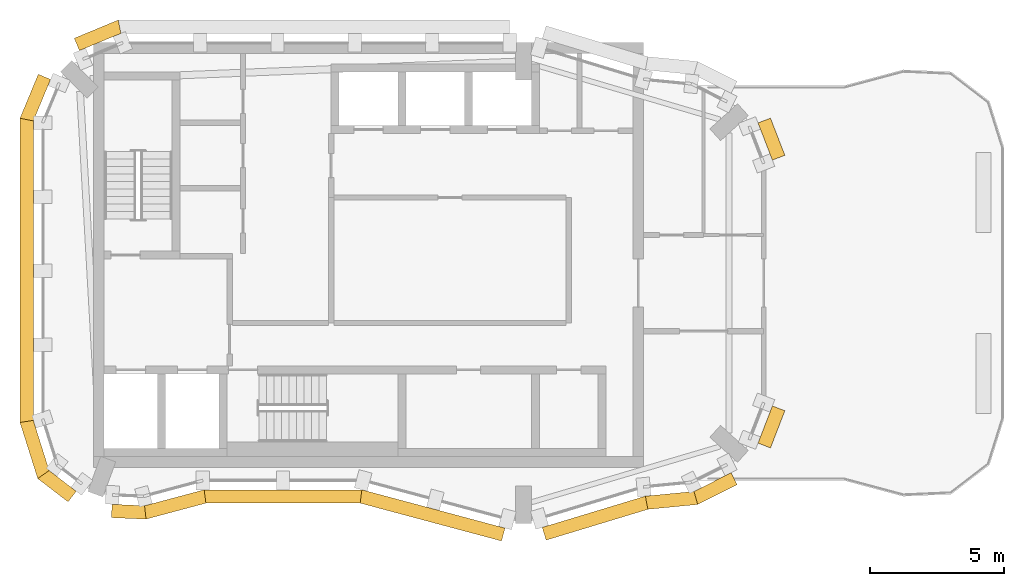
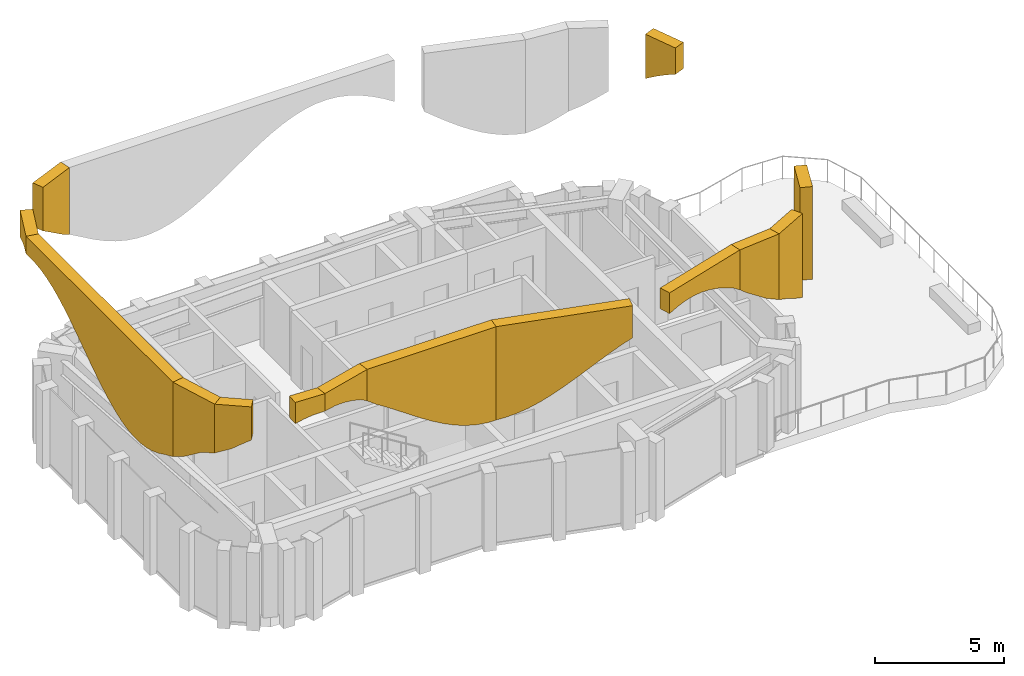
# One storey, part 6 of 7: 14 coverings.
"""IFC4 building model written with IfcOpenShell, lengths in metres."""

from ifc_helpers import new_model, si_unit, direction, frame, origin, place, context, subcontext, project, spatial, faceted_brep, material, layer, layer_set, type_object, element, save


model = new_model("IFC4")

# Units and contexts
model_context = context("Model", 3, precision=1e-05, world=origin(), true_north=direction((0.0, 1.0)))
body_context = subcontext(model_context, "Body", "Model", "MODEL_VIEW")
ifc_project = project(units=[si_unit("LENGTHUNIT", "METRE"), si_unit("AREAUNIT", "SQUARE_METRE"), si_unit("VOLUMEUNIT", "CUBIC_METRE"), si_unit("PLANEANGLEUNIT", "RADIAN"), si_unit("MASSUNIT", "GRAM", prefix="KILO")], contexts=[model_context])

# Site, building, storey
site_placement = place(None, origin())
site = spatial("IfcSite", under=ifc_project, at=site_placement, CompositionType="ELEMENT")
building_placement = place(site_placement, origin())
building = spatial("IfcBuilding", under=site, at=building_placement, Name="Plateau Cross Towers", CompositionType="ELEMENT")
storey_placement = place(building_placement, frame((0.0, 0.0, 301.89990234375)))
storey = spatial("IfcBuildingStorey", under=building, at=storey_placement, Name="L80 Crown 3", CompositionType="ELEMENT", Elevation=301.89990234375)

# Coverings
ifc_material = material(Name="Anodised aluminium fascia", Category="aluminium")
ifc_layer = layer(ifc_material, 0.5)
ifc_layer_set = layer_set([ifc_layer], Name="Anodised aluminium fascia")
covering_type = type_object("IfcCoveringType", Name="Crown fascia panel 500", PredefinedType="CLADDING", material=ifc_layer_set)
covering_1_placement = place(storey_placement, frame((0.0, 0.0, 9.007080078125)))
element("IfcCovering", 1, at=covering_1_placement, inside=storey, type_object=covering_type, Name="Crown fascia panel top", PredefinedType="CLADDING", context=body_context, shape_type="Brep", body=[
    faceted_brep([(3.814697265625, 0.6591796875, 0.66796875), (3.814697265625, 0.6591796875, 1.492919921875), (4.3115234375, 0.792236328125, 1.492919921875), (4.3115234375, 0.792236328125, 0.6396484375), (3.86962890625, 0.156494140625, 0.66796875), (4.440673828125, 0.309326171875, 0.6396484375), (4.440673828125, 0.309326171875, 1.492919921875), (3.86962890625, 0.156494140625, 1.492919921875), (4.756103515625, 0.911376953125, 1.492919921875), (4.756103515625, 0.911376953125, 0.554931640625), (4.885498046875, 0.428466796875, 0.554931640625), (4.885498046875, 0.428466796875, 1.492919921875), (5.200927734375, 1.030517578125, 1.492919921875), (5.200927734375, 1.030517578125, 0.4169921875), (5.330322265625, 0.547607421875, 0.4169921875), (5.330322265625, 0.547607421875, 1.492919921875), (5.645751953125, 1.149658203125, 1.492919921875), (5.645751953125, 1.149658203125, 0.230224609375), (5.775146484375, 0.666748046875, 0.230224609375), (5.775146484375, 0.666748046875, 1.492919921875), (6.046142578125, 1.2568359375, 1.492919921875), (6.046142578125, 1.2568359375, 0.0), (6.11181640625, 0.7568359375, 0.0), (6.11181640625, 0.7568359375, 1.492919921875)], [[[0, 1, 2, 3]], [[4, 5, 6, 7]], [[0, 3, 5, 4]], [[1, 7, 6, 2]], [[3, 2, 8, 9]], [[5, 10, 11, 6]], [[3, 9, 10, 5]], [[2, 6, 11, 8]], [[9, 8, 12, 13]], [[10, 14, 15, 11]], [[9, 13, 14, 10]], [[8, 11, 15, 12]], [[13, 12, 16, 17]], [[14, 18, 19, 15]], [[13, 17, 18, 14]], [[12, 15, 19, 16]], [[17, 16, 20, 21]], [[18, 22, 23, 19]], [[17, 21, 22, 18]], [[16, 19, 23, 20]], [[0, 4, 7, 1]], [[21, 20, 23, 22]]]),
])
covering_2_placement = place(storey_placement, frame((0.0, 0.0, 6.07958984375)))
element("IfcCovering", 2, at=covering_2_placement, inside=storey, type_object=covering_type, Name="Crown fascia panel top", PredefinedType="CLADDING", context=body_context, shape_type="Brep", body=[
    faceted_brep([(6.046142578125, 1.2568359375, 2.927490234375), (6.046142578125, 1.2568359375, 4.42041015625), (6.5, 1.2568359375, 4.42041015625), (6.5, 1.2568359375, 2.637451171875), (6.11181640625, 0.7568359375, 2.927490234375), (6.5, 0.7568359375, 2.637451171875), (6.5, 0.7568359375, 4.42041015625), (6.11181640625, 0.7568359375, 4.42041015625), (7.0, 1.2568359375, 4.42041015625), (7.0, 1.2568359375, 2.31591796875), (7.0, 0.7568359375, 2.31591796875), (7.0, 0.7568359375, 4.42041015625), (7.5, 1.2568359375, 4.42041015625), (7.5, 1.2568359375, 1.97509765625), (7.5, 0.7568359375, 1.97509765625), (7.5, 0.7568359375, 4.42041015625), (8.0, 1.2568359375, 4.42041015625), (8.0, 1.2568359375, 1.62744140625), (8.0, 0.7568359375, 1.62744140625), (8.0, 0.7568359375, 4.42041015625), (8.5, 1.2568359375, 4.42041015625), (8.5, 1.2568359375, 1.2861328125), (8.5, 0.7568359375, 1.2861328125), (8.5, 0.7568359375, 4.42041015625), (9.0, 1.2568359375, 4.42041015625), (9.0, 1.2568359375, 0.963623046875), (9.0, 0.7568359375, 0.963623046875), (9.0, 0.7568359375, 4.42041015625), (9.5, 1.2568359375, 4.42041015625), (9.5, 1.2568359375, 0.67236328125), (9.5, 0.7568359375, 0.67236328125), (9.5, 0.7568359375, 4.42041015625), (10.0, 1.2568359375, 4.42041015625), (10.0, 1.2568359375, 0.4228515625), (10.0, 0.7568359375, 0.4228515625), (10.0, 0.7568359375, 4.42041015625), (10.5, 1.2568359375, 4.42041015625), (10.5, 1.2568359375, 0.224609375), (10.5, 0.7568359375, 0.224609375), (10.5, 0.7568359375, 4.42041015625), (11.0, 1.2568359375, 4.42041015625), (11.0, 1.2568359375, 0.0849609375), (11.0, 0.7568359375, 0.0849609375), (11.0, 0.7568359375, 4.42041015625), (11.5, 1.2568359375, 4.42041015625), (11.5, 1.2568359375, 0.00927734375), (11.5, 0.7568359375, 0.00927734375), (11.5, 0.7568359375, 4.42041015625), (11.953857421875, 1.2568359375, 4.42041015625), (11.953857421875, 1.2568359375, 0.0), (11.88818359375, 0.7568359375, 0.0), (11.88818359375, 0.7568359375, 4.42041015625)], [[[0, 1, 2, 3]], [[4, 5, 6, 7]], [[0, 3, 5, 4]], [[1, 7, 6, 2]], [[3, 2, 8, 9]], [[5, 10, 11, 6]], [[3, 9, 10, 5]], [[2, 6, 11, 8]], [[9, 8, 12, 13]], [[10, 14, 15, 11]], [[9, 13, 14, 10]], [[8, 11, 15, 12]], [[13, 12, 16, 17]], [[14, 18, 19, 15]], [[13, 17, 18, 14]], [[12, 15, 19, 16]], [[17, 16, 20, 21]], [[18, 22, 23, 19]], [[17, 21, 22, 18]], [[16, 19, 23, 20]], [[21, 20, 24, 25]], [[22, 26, 27, 23]], [[21, 25, 26, 22]], [[20, 23, 27, 24]], [[25, 24, 28, 29]], [[26, 30, 31, 27]], [[25, 29, 30, 26]], [[24, 27, 31, 28]], [[29, 28, 32, 33]], [[30, 34, 35, 31]], [[29, 33, 34, 30]], [[28, 31, 35, 32]], [[33, 32, 36, 37]], [[34, 38, 39, 35]], [[33, 37, 38, 34]], [[32, 35, 39, 36]], [[37, 36, 40, 41]], [[38, 42, 43, 39]], [[37, 41, 42, 38]], [[36, 39, 43, 40]], [[41, 40, 44, 45]], [[42, 46, 47, 43]], [[41, 45, 46, 42]], [[40, 43, 47, 44]], [[45, 44, 48, 49]], [[46, 50, 51, 47]], [[45, 49, 50, 46]], [[44, 47, 51, 48]], [[0, 4, 7, 1]], [[49, 48, 51, 50]]]),
])
covering_3_placement = place(storey_placement, frame((0.0, 0.0, 6.07958984375)))
element("IfcCovering", 3, at=covering_3_placement, inside=storey, type_object=covering_type, Name="Crown fascia panel top", PredefinedType="CLADDING", context=body_context, shape_type="Brep", body=[
    faceted_brep([(11.953857421875, 1.2568359375, 0.0), (11.953857421875, 1.2568359375, 4.42041015625), (12.359619140625, 1.148193359375, 4.42041015625), (12.359619140625, 1.148193359375, 0.0517578125), (11.88818359375, 0.7568359375, 0.0), (12.23046875, 0.665283203125, 0.0517578125), (12.23046875, 0.665283203125, 4.42041015625), (11.88818359375, 0.7568359375, 4.42041015625), (12.81005859375, 1.027587890625, 4.42041015625), (12.81005859375, 1.027587890625, 0.159912109375), (12.6806640625, 0.544677734375, 0.159912109375), (12.6806640625, 0.544677734375, 4.42041015625), (13.26025390625, 0.906982421875, 4.42041015625), (13.26025390625, 0.906982421875, 0.3212890625), (13.130859375, 0.424072265625, 0.3212890625), (13.130859375, 0.424072265625, 4.42041015625), (13.71044921875, 0.786376953125, 4.42041015625), (13.71044921875, 0.786376953125, 0.530517578125), (13.5810546875, 0.303466796875, 0.530517578125), (13.5810546875, 0.303466796875, 4.42041015625), (14.16064453125, 0.665771484375, 4.42041015625), (14.16064453125, 0.665771484375, 0.780517578125), (14.031494140625, 0.182861328125, 0.780517578125), (14.031494140625, 0.182861328125, 4.42041015625), (14.611083984375, 0.545166015625, 4.42041015625), (14.611083984375, 0.545166015625, 1.063720703125), (14.481689453125, 0.062255859375, 1.063720703125), (14.481689453125, 0.062255859375, 4.42041015625), (15.061279296875, 0.4248046875, 4.42041015625), (15.061279296875, 0.4248046875, 1.37060546875), (14.931884765625, -0.058349609375, 1.37060546875), (14.931884765625, -0.058349609375, 4.42041015625), (15.511474609375, 0.30419921875, 4.42041015625), (15.511474609375, 0.30419921875, 1.691162109375), (15.382080078125, -0.178955078125, 1.691162109375), (15.382080078125, -0.178955078125, 4.42041015625), (15.9619140625, 0.18359375, 4.42041015625), (15.9619140625, 0.18359375, 2.01513671875), (15.83251953125, -0.299560546875, 2.01513671875), (15.83251953125, -0.299560546875, 4.42041015625), (16.412109375, 0.06298828125, 4.42041015625), (16.412109375, 0.06298828125, 2.33203125), (16.28271484375, -0.419921875, 2.33203125), (16.28271484375, -0.419921875, 4.42041015625), (16.8623046875, -0.0576171875, 4.42041015625), (16.8623046875, -0.0576171875, 2.63134765625), (16.73291015625, -0.54052734375, 2.63134765625), (16.73291015625, -0.54052734375, 4.42041015625), (17.3125, -0.17822265625, 4.42041015625), (17.3125, -0.17822265625, 2.90380859375), (17.183349609375, -0.6611328125, 2.90380859375), (17.183349609375, -0.6611328125, 4.42041015625)], [[[0, 1, 2, 3]], [[4, 5, 6, 7]], [[0, 3, 5, 4]], [[1, 7, 6, 2]], [[3, 2, 8, 9]], [[5, 10, 11, 6]], [[3, 9, 10, 5]], [[2, 6, 11, 8]], [[9, 8, 12, 13]], [[10, 14, 15, 11]], [[9, 13, 14, 10]], [[8, 11, 15, 12]], [[13, 12, 16, 17]], [[14, 18, 19, 15]], [[13, 17, 18, 14]], [[12, 15, 19, 16]], [[17, 16, 20, 21]], [[18, 22, 23, 19]], [[17, 21, 22, 18]], [[16, 19, 23, 20]], [[21, 20, 24, 25]], [[22, 26, 27, 23]], [[21, 25, 26, 22]], [[20, 23, 27, 24]], [[25, 24, 28, 29]], [[26, 30, 31, 27]], [[25, 29, 30, 26]], [[24, 27, 31, 28]], [[29, 28, 32, 33]], [[30, 34, 35, 31]], [[29, 33, 34, 30]], [[28, 31, 35, 32]], [[33, 32, 36, 37]], [[34, 38, 39, 35]], [[33, 37, 38, 34]], [[32, 35, 39, 36]], [[37, 36, 40, 41]], [[38, 42, 43, 39]], [[37, 41, 42, 38]], [[36, 39, 43, 40]], [[41, 40, 44, 45]], [[42, 46, 47, 43]], [[41, 45, 46, 42]], [[40, 43, 47, 44]], [[45, 44, 48, 49]], [[46, 50, 51, 47]], [[45, 49, 50, 46]], [[44, 47, 51, 48]], [[0, 4, 7, 1]], [[49, 48, 51, 50]]]),
])
covering_4_placement = place(storey_placement, frame((0.0, 0.0, 8.609619140625)))
element("IfcCovering", 4, at=covering_4_placement, inside=storey, type_object=covering_type, Name="Crown fascia panel top", PredefinedType="CLADDING", context=body_context, shape_type="Brep", body=[
    faceted_brep([(18.70703125, -0.151611328125, 0.90625), (18.70703125, -0.151611328125, 1.890380859375), (19.1396484375, -0.0205078125, 1.890380859375), (19.1396484375, -0.0205078125, 1.010009765625), (18.85205078125, -0.630126953125, 0.90625), (19.28466796875, -0.4990234375, 1.010009765625), (19.28466796875, -0.4990234375, 1.890380859375), (18.85205078125, -0.630126953125, 1.890380859375), (19.572509765625, 0.110595703125, 1.890380859375), (19.572509765625, 0.110595703125, 1.060546875), (19.71728515625, -0.367919921875, 1.060546875), (19.71728515625, -0.367919921875, 1.890380859375), (20.005126953125, 0.24169921875, 1.890380859375), (20.005126953125, 0.24169921875, 1.056396484375), (20.150146484375, -0.23681640625, 1.056396484375), (20.150146484375, -0.23681640625, 1.890380859375), (20.43798828125, 0.372802734375, 1.890380859375), (20.43798828125, 0.372802734375, 0.997314453125), (20.582763671875, -0.105712890625, 0.997314453125), (20.582763671875, -0.105712890625, 1.890380859375), (20.87060546875, 0.50390625, 1.890380859375), (20.87060546875, 0.50390625, 0.8857421875), (21.015625, 0.025390625, 0.8857421875), (21.015625, 0.025390625, 1.890380859375), (21.30322265625, 0.635009765625, 1.890380859375), (21.30322265625, 0.635009765625, 0.724365234375), (21.4482421875, 0.156494140625, 0.724365234375), (21.4482421875, 0.156494140625, 1.890380859375), (21.736083984375, 0.76611328125, 1.890380859375), (21.736083984375, 0.76611328125, 0.518798828125), (21.881103515625, 0.28759765625, 0.518798828125), (21.881103515625, 0.28759765625, 1.890380859375), (22.168701171875, 0.897216796875, 1.890380859375), (22.168701171875, 0.897216796875, 0.274658203125), (22.313720703125, 0.418701171875, 0.274658203125), (22.313720703125, 0.418701171875, 1.890380859375), (22.568359375, 1.018310546875, 1.890380859375), (22.568359375, 1.018310546875, 0.0), (22.665771484375, 0.525390625, 0.0), (22.665771484375, 0.525390625, 1.890380859375)], [[[0, 1, 2, 3]], [[4, 5, 6, 7]], [[0, 3, 5, 4]], [[1, 7, 6, 2]], [[3, 2, 8, 9]], [[5, 10, 11, 6]], [[3, 9, 10, 5]], [[2, 6, 11, 8]], [[9, 8, 12, 13]], [[10, 14, 15, 11]], [[9, 13, 14, 10]], [[8, 11, 15, 12]], [[13, 12, 16, 17]], [[14, 18, 19, 15]], [[13, 17, 18, 14]], [[12, 15, 19, 16]], [[17, 16, 20, 21]], [[18, 22, 23, 19]], [[17, 21, 22, 18]], [[16, 19, 23, 20]], [[21, 20, 24, 25]], [[22, 26, 27, 23]], [[21, 25, 26, 22]], [[20, 23, 27, 24]], [[25, 24, 28, 29]], [[26, 30, 31, 27]], [[25, 29, 30, 26]], [[24, 27, 31, 28]], [[29, 28, 32, 33]], [[30, 34, 35, 31]], [[29, 33, 34, 30]], [[28, 31, 35, 32]], [[33, 32, 36, 37]], [[34, 38, 39, 35]], [[33, 37, 38, 34]], [[32, 35, 39, 36]], [[0, 4, 7, 1]], [[37, 36, 39, 38]]]),
])
covering_5_placement = place(storey_placement, frame((0.0, 0.0, 7.3857421875)))
element("IfcCovering", 5, at=covering_5_placement, inside=storey, type_object=covering_type, Name="Crown fascia panel top", PredefinedType="CLADDING", context=body_context, shape_type="Brep", body=[
    faceted_brep([(22.568359375, 1.018310546875, 1.223876953125), (22.568359375, 1.018310546875, 3.1142578125), (22.981201171875, 1.058349609375, 3.1142578125), (22.981201171875, 1.058349609375, 0.928466796875), (22.665771484375, 0.525390625, 1.223876953125), (23.029541015625, 0.560546875, 0.928466796875), (23.029541015625, 0.560546875, 3.1142578125), (22.665771484375, 0.525390625, 3.1142578125), (23.4287109375, 1.101806640625, 3.1142578125), (23.4287109375, 1.101806640625, 0.619873046875), (23.47705078125, 0.60400390625, 0.619873046875), (23.47705078125, 0.60400390625, 3.1142578125), (23.876220703125, 1.145263671875, 3.1142578125), (23.876220703125, 1.145263671875, 0.30712890625), (23.924560546875, 0.6474609375, 0.30712890625), (23.924560546875, 0.6474609375, 3.1142578125), (24.388671875, 1.19482421875, 3.1142578125), (24.388671875, 1.19482421875, 0.0), (24.529541015625, 0.706298828125, 0.0), (24.529541015625, 0.706298828125, 3.1142578125)], [[[0, 1, 2, 3]], [[4, 5, 6, 7]], [[0, 3, 5, 4]], [[1, 7, 6, 2]], [[3, 2, 8, 9]], [[5, 10, 11, 6]], [[3, 9, 10, 5]], [[2, 6, 11, 8]], [[9, 8, 12, 13]], [[10, 14, 15, 11]], [[9, 13, 14, 10]], [[8, 11, 15, 12]], [[13, 12, 16, 17]], [[14, 18, 19, 15]], [[13, 17, 18, 14]], [[12, 15, 19, 16]], [[0, 4, 7, 1]], [[17, 16, 19, 18]]]),
])
covering_6_placement = place(storey_placement, frame((0.0, 0.0, 6.51953125)))
element("IfcCovering", 6, at=covering_6_placement, inside=storey, type_object=covering_type, Name="Crown fascia panel top", PredefinedType="CLADDING", context=body_context, shape_type="Brep", body=[
    faceted_brep([(24.388671875, 1.19482421875, 0.8662109375), (24.388671875, 1.19482421875, 3.98046875), (24.891357421875, 1.447265625, 3.98046875), (24.891357421875, 1.447265625, 0.5439453125), (24.529541015625, 0.706298828125, 0.8662109375), (25.11572265625, 1.00048828125, 0.5439453125), (25.11572265625, 1.00048828125, 3.98046875), (24.529541015625, 0.706298828125, 3.98046875), (25.336181640625, 1.670654296875, 3.98046875), (25.336181640625, 1.670654296875, 0.251708984375), (25.560302734375, 1.2236328125, 0.251708984375), (25.560302734375, 1.2236328125, 3.98046875), (25.78076171875, 1.893798828125, 3.98046875), (25.78076171875, 1.893798828125, 0.0), (26.005126953125, 1.447021484375, 0.0), (26.005126953125, 1.447021484375, 3.98046875)], [[[0, 1, 2, 3]], [[4, 5, 6, 7]], [[0, 3, 5, 4]], [[1, 7, 6, 2]], [[3, 2, 8, 9]], [[5, 10, 11, 6]], [[3, 9, 10, 5]], [[2, 6, 11, 8]], [[9, 8, 12, 13]], [[10, 14, 15, 11]], [[9, 13, 14, 10]], [[8, 11, 15, 12]], [[0, 4, 7, 1]], [[13, 12, 15, 14]]]),
])
covering_7_placement = place(storey_placement, frame((0.0, 0.0, 6.0751953125)))
element("IfcCovering", 7, at=covering_7_placement, inside=storey, type_object=covering_type, Name="Crown fascia panel top", PredefinedType="CLADDING", context=body_context, shape_type="Brep", body=[
    faceted_brep([(26.788818359375, 3.004638671875, 0.035888671875), (26.788818359375, 3.004638671875, 4.4248046875), (26.968017578125, 3.46875, 4.4248046875), (26.968017578125, 3.46875, 0.0), (27.25537109375, 2.824462890625, 0.035888671875), (27.4345703125, 3.28857421875, 0.0), (27.4345703125, 3.28857421875, 4.4248046875), (27.25537109375, 2.824462890625, 4.4248046875), (27.147216796875, 3.932861328125, 4.4248046875), (27.147216796875, 3.932861328125, 0.0302734375), (27.61376953125, 3.752685546875, 0.0302734375), (27.61376953125, 3.752685546875, 4.4248046875), (27.326416015625, 4.396728515625, 4.4248046875), (27.326416015625, 4.396728515625, 0.126220703125), (27.79296875, 4.216796875, 0.126220703125), (27.79296875, 4.216796875, 4.4248046875)], [[[0, 1, 2, 3]], [[4, 5, 6, 7]], [[0, 3, 5, 4]], [[1, 7, 6, 2]], [[3, 2, 8, 9]], [[5, 10, 11, 6]], [[3, 9, 10, 5]], [[2, 6, 11, 8]], [[9, 8, 12, 13]], [[10, 14, 15, 11]], [[9, 13, 14, 10]], [[8, 11, 15, 12]], [[0, 4, 7, 1]], [[13, 12, 15, 14]]]),
])
covering_8_placement = place(storey_placement, frame((0.0, 0.0, 8.397216796875)))
element("IfcCovering", 8, at=covering_8_placement, inside=storey, type_object=covering_type, Name="Crown fascia panel top", PredefinedType="CLADDING", context=body_context, shape_type="Brep", body=[
    faceted_brep([(27.326416015625, 13.603271484375, 0.855712890625), (27.326416015625, 13.603271484375, 2.102783203125), (27.147216796875, 14.067138671875, 2.102783203125), (27.147216796875, 14.067138671875, 0.608642578125), (27.79296875, 13.783203125, 0.855712890625), (27.61376953125, 14.247314453125, 0.608642578125), (27.61376953125, 14.247314453125, 2.102783203125), (27.79296875, 13.783203125, 2.102783203125), (26.968017578125, 14.53125, 2.102783203125), (26.968017578125, 14.53125, 0.31982421875), (27.4345703125, 14.71142578125, 0.31982421875), (27.4345703125, 14.71142578125, 2.102783203125), (26.788818359375, 14.995361328125, 2.102783203125), (26.788818359375, 14.995361328125, 0.0), (27.25537109375, 15.175537109375, 0.0), (27.25537109375, 15.175537109375, 2.102783203125)], [[[0, 1, 2, 3]], [[4, 5, 6, 7]], [[0, 3, 5, 4]], [[1, 7, 6, 2]], [[3, 2, 8, 9]], [[5, 10, 11, 6]], [[3, 9, 10, 5]], [[2, 6, 11, 8]], [[9, 8, 12, 13]], [[10, 14, 15, 11]], [[9, 13, 14, 10]], [[8, 11, 15, 12]], [[0, 4, 7, 1]], [[13, 12, 15, 14]]]),
])
covering_9_placement = place(storey_placement, frame((0.0, 0.0, 7.33154296875)))
element("IfcCovering", 9, at=covering_9_placement, inside=storey, type_object=covering_type, Name="Crown fascia panel top", PredefinedType="CLADDING", context=body_context, shape_type="Brep", body=[
    faceted_brep([(2.930419921875, 18.35009765625, 0.0), (2.930419921875, 18.35009765625, 3.16845703125), (2.4931640625, 18.1689453125, 3.16845703125), (2.4931640625, 18.1689453125, 0.2734375), (2.830810546875, 18.85009765625, 0.0), (2.3017578125, 18.630859375, 0.2734375), (2.3017578125, 18.630859375, 3.16845703125), (2.830810546875, 18.85009765625, 3.16845703125), (2.1201171875, 18.014404296875, 3.16845703125), (2.1201171875, 18.014404296875, 0.553466796875), (1.9287109375, 18.476318359375, 0.553466796875), (1.9287109375, 18.476318359375, 3.16845703125), (1.747314453125, 17.85986328125, 3.16845703125), (1.747314453125, 17.85986328125, 0.833251953125), (1.555908203125, 18.32177734375, 0.833251953125), (1.555908203125, 18.32177734375, 3.16845703125), (1.374267578125, 17.705322265625, 3.16845703125), (1.374267578125, 17.705322265625, 1.10595703125), (1.182861328125, 18.16748046875, 1.10595703125), (1.182861328125, 18.16748046875, 3.16845703125)], [[[0, 1, 2, 3]], [[4, 5, 6, 7]], [[0, 3, 5, 4]], [[1, 7, 6, 2]], [[3, 2, 8, 9]], [[5, 10, 11, 6]], [[3, 9, 10, 5]], [[2, 6, 11, 8]], [[9, 8, 12, 13]], [[10, 14, 15, 11]], [[9, 13, 14, 10]], [[8, 11, 15, 12]], [[13, 12, 16, 17]], [[14, 18, 19, 15]], [[13, 17, 18, 14]], [[12, 15, 19, 16]], [[0, 4, 7, 1]], [[17, 16, 19, 18]]]),
])
covering_10_placement = place(storey_placement, frame((0.0, 0.0, 9.221435546875)))
element("IfcCovering", 10, at=covering_10_placement, inside=storey, type_object=covering_type, Name="Crown fascia panel top", PredefinedType="CLADDING", context=body_context, shape_type="Brep", body=[
    faceted_brep([(0.294677734375, 16.625732421875, 0.0), (0.294677734375, 16.625732421875, 1.278564453125), (0.14013671875, 16.252685546875, 1.278564453125), (0.14013671875, 16.252685546875, 0.16943359375), (-0.16748046875, 16.817138671875, 0.0), (-0.32177734375, 16.444091796875, 0.16943359375), (-0.32177734375, 16.444091796875, 1.278564453125), (-0.16748046875, 16.817138671875, 1.278564453125), (-0.014404296875, 15.8798828125, 1.278564453125), (-0.014404296875, 15.8798828125, 0.302001953125), (-0.476318359375, 16.0712890625, 0.302001953125), (-0.476318359375, 16.0712890625, 1.278564453125), (-0.1689453125, 15.5068359375, 1.278564453125), (-0.1689453125, 15.5068359375, 0.39453125), (-0.630859375, 15.6982421875, 0.39453125), (-0.630859375, 15.6982421875, 1.278564453125), (-0.35009765625, 15.069580078125, 1.278564453125), (-0.35009765625, 15.069580078125, 0.444580078125), (-0.85009765625, 15.169189453125, 0.444580078125), (-0.85009765625, 15.169189453125, 1.278564453125)], [[[0, 1, 2, 3]], [[4, 5, 6, 7]], [[0, 3, 5, 4]], [[1, 7, 6, 2]], [[3, 2, 8, 9]], [[5, 10, 11, 6]], [[3, 9, 10, 5]], [[2, 6, 11, 8]], [[9, 8, 12, 13]], [[10, 14, 15, 11]], [[9, 13, 14, 10]], [[8, 11, 15, 12]], [[13, 12, 16, 17]], [[14, 18, 19, 15]], [[13, 17, 18, 14]], [[12, 15, 19, 16]], [[0, 4, 7, 1]], [[17, 16, 19, 18]]]),
])
covering_11_placement = place(storey_placement, frame((0.0, 0.0, 6.07958984375)))
element("IfcCovering", 11, at=covering_11_placement, inside=storey, type_object=covering_type, Name="Crown fascia panel top", PredefinedType="CLADDING", context=body_context, shape_type="Brep", body=[
    faceted_brep([(-0.35009765625, 15.069580078125, 3.58642578125), (-0.35009765625, 15.069580078125, 4.42041015625), (-0.35009765625, 14.517822265625, 4.42041015625), (-0.35009765625, 14.517822265625, 3.5888671875), (-0.85009765625, 15.169189453125, 3.58642578125), (-0.85009765625, 14.517822265625, 3.5888671875), (-0.85009765625, 14.517822265625, 4.42041015625), (-0.85009765625, 15.169189453125, 4.42041015625), (-0.35009765625, 14.03564453125, 4.42041015625), (-0.35009765625, 14.03564453125, 3.529296875), (-0.85009765625, 14.03564453125, 3.529296875), (-0.85009765625, 14.03564453125, 4.42041015625), (-0.35009765625, 13.553466796875, 4.42041015625), (-0.35009765625, 13.553466796875, 3.40966796875), (-0.85009765625, 13.553466796875, 3.40966796875), (-0.85009765625, 13.553466796875, 4.42041015625), (-0.35009765625, 13.071044921875, 4.42041015625), (-0.35009765625, 13.071044921875, 3.23388671875), (-0.85009765625, 13.071044921875, 3.23388671875), (-0.85009765625, 13.071044921875, 4.42041015625), (-0.35009765625, 12.5888671875, 4.42041015625), (-0.35009765625, 12.5888671875, 3.008056640625), (-0.85009765625, 12.5888671875, 3.008056640625), (-0.85009765625, 12.5888671875, 4.42041015625), (-0.35009765625, 12.106689453125, 4.42041015625), (-0.35009765625, 12.106689453125, 2.740478515625), (-0.85009765625, 12.106689453125, 2.740478515625), (-0.85009765625, 12.106689453125, 4.42041015625), (-0.35009765625, 11.62451171875, 4.42041015625), (-0.35009765625, 11.62451171875, 2.43994140625), (-0.85009765625, 11.62451171875, 2.43994140625), (-0.85009765625, 11.62451171875, 4.42041015625), (-0.35009765625, 11.142333984375, 4.42041015625), (-0.35009765625, 11.142333984375, 2.116943359375), (-0.85009765625, 11.142333984375, 2.116943359375), (-0.85009765625, 11.142333984375, 4.42041015625), (-0.35009765625, 10.66015625, 4.42041015625), (-0.35009765625, 10.66015625, 1.782958984375), (-0.85009765625, 10.66015625, 1.782958984375), (-0.85009765625, 10.66015625, 4.42041015625), (-0.35009765625, 10.177978515625, 4.42041015625), (-0.35009765625, 10.177978515625, 1.44921875), (-0.85009765625, 10.177978515625, 1.44921875), (-0.85009765625, 10.177978515625, 4.42041015625), (-0.35009765625, 9.69580078125, 4.42041015625), (-0.35009765625, 9.69580078125, 1.127685546875), (-0.85009765625, 9.69580078125, 1.127685546875), (-0.85009765625, 9.69580078125, 4.42041015625), (-0.35009765625, 9.21337890625, 4.42041015625), (-0.35009765625, 9.21337890625, 0.829345703125), (-0.85009765625, 9.21337890625, 0.829345703125), (-0.85009765625, 9.21337890625, 4.42041015625), (-0.35009765625, 8.731201171875, 4.42041015625), (-0.35009765625, 8.731201171875, 0.564453125), (-0.85009765625, 8.731201171875, 0.564453125), (-0.85009765625, 8.731201171875, 4.42041015625), (-0.35009765625, 8.2490234375, 4.42041015625), (-0.35009765625, 8.2490234375, 0.34228515625), (-0.85009765625, 8.2490234375, 0.34228515625), (-0.85009765625, 8.2490234375, 4.42041015625), (-0.35009765625, 7.766845703125, 4.42041015625), (-0.35009765625, 7.766845703125, 0.17041015625), (-0.85009765625, 7.766845703125, 0.17041015625), (-0.85009765625, 7.766845703125, 4.42041015625), (-0.35009765625, 7.28466796875, 4.42041015625), (-0.35009765625, 7.28466796875, 0.05517578125), (-0.85009765625, 7.28466796875, 0.05517578125), (-0.85009765625, 7.28466796875, 4.42041015625), (-0.35009765625, 6.802490234375, 4.42041015625), (-0.35009765625, 6.802490234375, 0.0), (-0.85009765625, 6.802490234375, 0.0), (-0.85009765625, 6.802490234375, 4.42041015625), (-0.35009765625, 6.3203125, 4.42041015625), (-0.35009765625, 6.3203125, 0.00732421875), (-0.85009765625, 6.3203125, 0.00732421875), (-0.85009765625, 6.3203125, 4.42041015625), (-0.35009765625, 5.837890625, 4.42041015625), (-0.35009765625, 5.837890625, 0.07666015625), (-0.85009765625, 5.837890625, 0.07666015625), (-0.85009765625, 5.837890625, 4.42041015625), (-0.35009765625, 5.355712890625, 4.42041015625), (-0.35009765625, 5.355712890625, 0.205810546875), (-0.85009765625, 5.355712890625, 0.205810546875), (-0.85009765625, 5.355712890625, 4.42041015625), (-0.35009765625, 4.87353515625, 4.42041015625), (-0.35009765625, 4.87353515625, 0.389892578125), (-0.85009765625, 4.87353515625, 0.389892578125), (-0.85009765625, 4.87353515625, 4.42041015625), (-0.35009765625, 4.391357421875, 4.42041015625), (-0.35009765625, 4.391357421875, 0.622802734375), (-0.85009765625, 4.391357421875, 0.622802734375), (-0.85009765625, 4.391357421875, 4.42041015625), (-0.35009765625, 3.855224609375, 4.42041015625), (-0.35009765625, 3.855224609375, 0.896484375), (-0.85009765625, 3.7783203125, 0.896484375), (-0.85009765625, 3.7783203125, 4.42041015625)], [[[0, 1, 2, 3]], [[4, 5, 6, 7]], [[0, 3, 5, 4]], [[1, 7, 6, 2]], [[3, 2, 8, 9]], [[5, 10, 11, 6]], [[3, 9, 10, 5]], [[2, 6, 11, 8]], [[9, 8, 12, 13]], [[10, 14, 15, 11]], [[9, 13, 14, 10]], [[8, 11, 15, 12]], [[13, 12, 16, 17]], [[14, 18, 19, 15]], [[13, 17, 18, 14]], [[12, 15, 19, 16]], [[17, 16, 20, 21]], [[18, 22, 23, 19]], [[17, 21, 22, 18]], [[16, 19, 23, 20]], [[21, 20, 24, 25]], [[22, 26, 27, 23]], [[21, 25, 26, 22]], [[20, 23, 27, 24]], [[25, 24, 28, 29]], [[26, 30, 31, 27]], [[25, 29, 30, 26]], [[24, 27, 31, 28]], [[29, 28, 32, 33]], [[30, 34, 35, 31]], [[29, 33, 34, 30]], [[28, 31, 35, 32]], [[33, 32, 36, 37]], [[34, 38, 39, 35]], [[33, 37, 38, 34]], [[32, 35, 39, 36]], [[37, 36, 40, 41]], [[38, 42, 43, 39]], [[37, 41, 42, 38]], [[36, 39, 43, 40]], [[41, 40, 44, 45]], [[42, 46, 47, 43]], [[41, 45, 46, 42]], [[40, 43, 47, 44]], [[45, 44, 48, 49]], [[46, 50, 51, 47]], [[45, 49, 50, 46]], [[44, 47, 51, 48]], [[49, 48, 52, 53]], [[50, 54, 55, 51]], [[49, 53, 54, 50]], [[48, 51, 55, 52]], [[53, 52, 56, 57]], [[54, 58, 59, 55]], [[53, 57, 58, 54]], [[52, 55, 59, 56]], [[57, 56, 60, 61]], [[58, 62, 63, 59]], [[57, 61, 62, 58]], [[56, 59, 63, 60]], [[61, 60, 64, 65]], [[62, 66, 67, 63]], [[61, 65, 66, 62]], [[60, 63, 67, 64]], [[65, 64, 68, 69]], [[66, 70, 71, 67]], [[65, 69, 70, 66]], [[64, 67, 71, 68]], [[69, 68, 72, 73]], [[70, 74, 75, 71]], [[69, 73, 74, 70]], [[68, 71, 75, 72]], [[73, 72, 76, 77]], [[74, 78, 79, 75]], [[73, 77, 78, 74]], [[72, 75, 79, 76]], [[77, 76, 80, 81]], [[78, 82, 83, 79]], [[77, 81, 82, 78]], [[76, 79, 83, 80]], [[81, 80, 84, 85]], [[82, 86, 87, 83]], [[81, 85, 86, 82]], [[80, 83, 87, 84]], [[85, 84, 88, 89]], [[86, 90, 91, 87]], [[85, 89, 90, 86]], [[84, 87, 91, 88]], [[89, 88, 92, 93]], [[90, 94, 95, 91]], [[89, 93, 94, 90]], [[88, 91, 95, 92]], [[0, 4, 7, 1]], [[93, 92, 95, 94]]]),
])
covering_12_placement = place(storey_placement, frame((0.0, 0.0, 6.97607421875)))
element("IfcCovering", 12, at=covering_12_placement, inside=storey, type_object=covering_type, Name="Crown fascia panel top", PredefinedType="CLADDING", context=body_context, shape_type="Brep", body=[
    faceted_brep([(-0.35009765625, 3.855224609375, 0.0), (-0.35009765625, 3.855224609375, 3.52392578125), (-0.1982421875, 3.373779296875, 3.52392578125), (-0.1982421875, 3.373779296875, 0.284423828125), (-0.85009765625, 3.7783203125, 0.0), (-0.675048828125, 3.223388671875, 0.284423828125), (-0.675048828125, 3.223388671875, 3.52392578125), (-0.85009765625, 3.7783203125, 3.52392578125), (-0.0625, 2.943603515625, 3.52392578125), (-0.0625, 2.943603515625, 0.58740234375), (-0.539306640625, 2.793212890625, 0.58740234375), (-0.539306640625, 2.793212890625, 3.52392578125), (0.072998046875, 2.513427734375, 3.52392578125), (0.072998046875, 2.513427734375, 0.89990234375), (-0.40380859375, 2.363037109375, 0.89990234375), (-0.40380859375, 2.363037109375, 3.52392578125), (0.241943359375, 1.97802734375, 3.52392578125), (0.241943359375, 1.97802734375, 1.21240234375), (-0.1875, 1.677490234375, 1.21240234375), (-0.1875, 1.677490234375, 3.52392578125)], [[[0, 1, 2, 3]], [[4, 5, 6, 7]], [[0, 3, 5, 4]], [[1, 7, 6, 2]], [[3, 2, 8, 9]], [[5, 10, 11, 6]], [[3, 9, 10, 5]], [[2, 6, 11, 8]], [[9, 8, 12, 13]], [[10, 14, 15, 11]], [[9, 13, 14, 10]], [[8, 11, 15, 12]], [[13, 12, 16, 17]], [[14, 18, 19, 15]], [[13, 17, 18, 14]], [[12, 15, 19, 16]], [[0, 4, 7, 1]], [[17, 16, 19, 18]]]),
])
covering_13_placement = place(storey_placement, frame((0.0, 0.0, 8.1884765625)))
element("IfcCovering", 13, at=covering_13_placement, inside=storey, type_object=covering_type, Name="Crown fascia panel top", PredefinedType="CLADDING", context=body_context, shape_type="Brep", body=[
    faceted_brep([(0.241943359375, 1.97802734375, 0.0), (0.241943359375, 1.97802734375, 2.3115234375), (0.6376953125, 1.67431640625, 2.3115234375), (0.6376953125, 1.67431640625, 0.261962890625), (-0.1875, 1.677490234375, 0.0), (0.333251953125, 1.277587890625, 0.261962890625), (0.333251953125, 1.277587890625, 2.3115234375), (-0.1875, 1.677490234375, 2.3115234375), (0.946044921875, 1.4375, 2.3115234375), (0.946044921875, 1.4375, 0.510986328125), (0.641845703125, 1.041015625, 0.510986328125), (0.641845703125, 1.041015625, 2.3115234375), (1.254638671875, 1.200927734375, 2.3115234375), (1.254638671875, 1.200927734375, 0.741455078125), (0.9501953125, 0.80419921875, 0.741455078125), (0.9501953125, 0.80419921875, 2.3115234375)], [[[0, 1, 2, 3]], [[4, 5, 6, 7]], [[0, 3, 5, 4]], [[1, 7, 6, 2]], [[3, 2, 8, 9]], [[5, 10, 11, 6]], [[3, 9, 10, 5]], [[2, 6, 11, 8]], [[9, 8, 12, 13]], [[10, 14, 15, 11]], [[9, 13, 14, 10]], [[8, 11, 15, 12]], [[0, 4, 7, 1]], [[13, 12, 15, 14]]]),
])
covering_14_placement = place(storey_placement, frame((0.0, 0.0, 9.4951171875)))
element("IfcCovering", 14, at=covering_14_placement, inside=storey, type_object=covering_type, Name="Crown fascia panel top", PredefinedType="CLADDING", context=body_context, shape_type="Brep", body=[
    faceted_brep([(2.595703125, 0.712646484375, 0.0), (2.595703125, 0.712646484375, 1.0048828125), (2.984130859375, 0.695556640625, 1.0048828125), (2.984130859375, 0.695556640625, 0.09912109375), (2.573974609375, 0.213134765625, 0.0), (2.962158203125, 0.196044921875, 0.09912109375), (2.962158203125, 0.196044921875, 1.0048828125), (2.573974609375, 0.213134765625, 1.0048828125), (3.37255859375, 0.6787109375, 1.0048828125), (3.37255859375, 0.6787109375, 0.15966796875), (3.3505859375, 0.17919921875, 0.15966796875), (3.3505859375, 0.17919921875, 1.0048828125), (3.814697265625, 0.6591796875, 1.0048828125), (3.814697265625, 0.6591796875, 0.179931640625), (3.86962890625, 0.156494140625, 0.179931640625), (3.86962890625, 0.156494140625, 1.0048828125)], [[[0, 1, 2, 3]], [[4, 5, 6, 7]], [[0, 3, 5, 4]], [[1, 7, 6, 2]], [[3, 2, 8, 9]], [[5, 10, 11, 6]], [[3, 9, 10, 5]], [[2, 6, 11, 8]], [[9, 8, 12, 13]], [[10, 14, 15, 11]], [[9, 13, 14, 10]], [[8, 11, 15, 12]], [[0, 4, 7, 1]], [[13, 12, 15, 14]]]),
])

save(model, "model.ifc")
